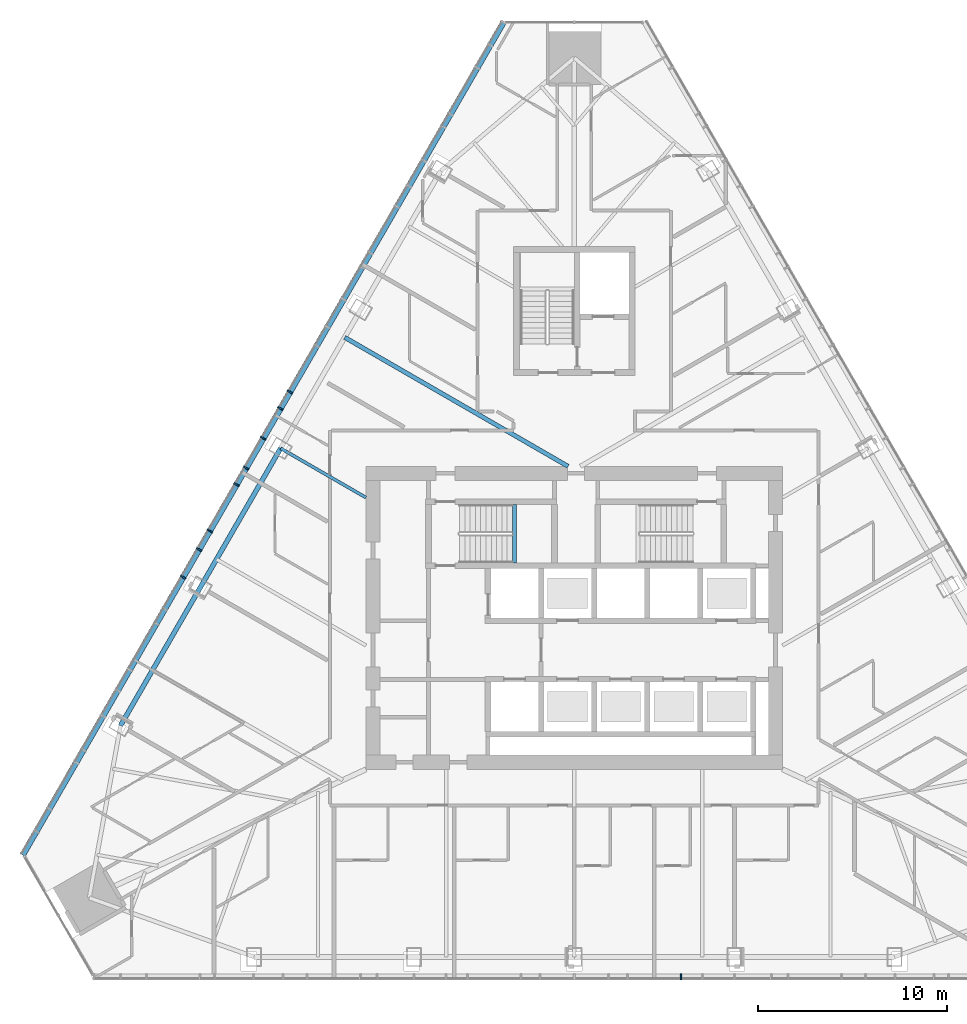
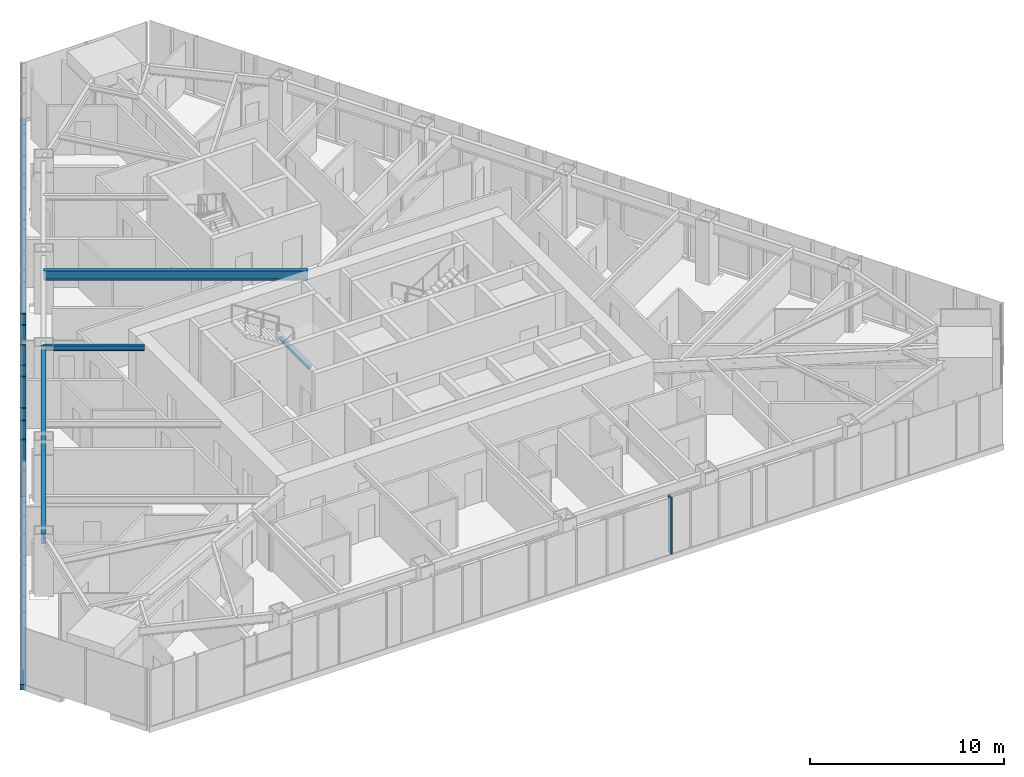
# One storey, part 4 of 19: 10 members, 4 beams, 2 elements without a shape of their own.
"""IFC4 building model written with IfcOpenShell, lengths in metres."""

from ifc_helpers import new_model, si_unit, direction, frame, origin, origin_2d, place, context, subcontext, project, spatial, rectangle, i_section, extrude, material, layer, layer_set, material_profile, profile_set, type_object, element, aggregate, save


model = new_model("IFC4")

# Units and contexts
model_context = context("Model", 3, precision=1e-05, world=origin(), true_north=direction((0.0, 1.0)))
body_context = subcontext(model_context, "Body", "Model", "MODEL_VIEW")
ifc_project = project(units=[si_unit("LENGTHUNIT", "METRE"), si_unit("AREAUNIT", "SQUARE_METRE"), si_unit("VOLUMEUNIT", "CUBIC_METRE"), si_unit("PLANEANGLEUNIT", "RADIAN"), si_unit("MASSUNIT", "GRAM", prefix="KILO")], contexts=[model_context])

# Site, building, storey
site_placement = place(None, origin())
site = spatial("IfcSite", under=ifc_project, at=site_placement, CompositionType="ELEMENT")
building_placement = place(site_placement, origin())
building = spatial("IfcBuilding", under=site, at=building_placement, Name="Firuza Gate Tower and Library", CompositionType="ELEMENT")
storey_placement = place(building_placement, frame((0.0, 0.0, 210.39990234375)))
storey = spatial("IfcBuildingStorey", under=building, at=storey_placement, Name="L49", CompositionType="ELEMENT", Elevation=210.39990234375)

# Curtain wall, member
ifc_material_1 = material(Name="Aluminium 6063-T6", Category="aluminium")
ifc_layer = layer(ifc_material_1, 0.14990234375)
ifc_layer_set = layer_set([ifc_layer], Name="Unitised curtain wall, hotel")
curtain_wall_type = type_object("IfcCurtainWallType", Name="Unitised curtain wall, hotel", PredefinedType="NOTDEFINED", material=ifc_layer_set)
placement = place(storey_placement, origin())
curtain_wall_1 = element("IfcCurtainWall", 1, at=placement, inside=storey, type_object=curtain_wall_type, Name="CW2 L49 S face", PredefinedType="NOTDEFINED")
ifc_material_2 = material(Name="Aluminium 6063-T6", Category="aluminium")
ifc_material_profile_1 = material_profile(ifc_material_2, rectangle(XDim=0.320068359375, YDim=0.080078125, at=origin_2d()))
ifc_profile_set_1 = profile_set([ifc_material_profile_1], Name="Aluminium 6063-T6")
member_type_1 = type_object("IfcMemberType", Name="Curtain wall mullion 80x320", PredefinedType="MULLION", material=ifc_profile_set_1)
member_1_placement = place(storey_placement, frame((80.646728515625, 56.037353515625, 0.150146484375), z_axis=(0.0, 0.0, 1.0), x_axis=(0.0, 1.0, 0.0)))
member_1 = element("IfcMember", 2, at=member_1_placement, type_object=member_type_1, Name="Mullion", PredefinedType="MULLION", context=body_context, shape_type="SweptSolid", body=[
    extrude(rectangle(XDim=0.320068359375, YDim=0.080078125, at=origin_2d()), origin(), (0.0, 0.0, 1.0), 3.550048828125),
])
aggregate(curtain_wall_1, [member_1])

# Curtain wall, members
curtain_wall_2 = element("IfcCurtainWall", 3, at=placement, inside=storey, type_object=curtain_wall_type, Name="CW2 L49 W face", PredefinedType="NOTDEFINED")
member_2_placement = place(storey_placement, frame((59.989501953125, 86.92626953125, 0.150146484375), z_axis=(0.0, 0.0, 1.0), x_axis=(0.866025403784, -0.5, 0.0)))
member_2 = element("IfcMember", 4, at=member_2_placement, type_object=member_type_1, Name="Mullion", PredefinedType="MULLION", context=body_context, shape_type="SweptSolid", body=[
    extrude(rectangle(XDim=0.320068359375, YDim=0.080078125, at=origin_2d()), origin(), (0.0, 0.0, 1.0), 3.550048828125),
])
member_3_placement = place(storey_placement, frame((58.577880859375, 84.481201171875, 0.150146484375), z_axis=(0.0, 0.0, 1.0), x_axis=(0.866025403784, -0.5, 0.0)))
member_3 = element("IfcMember", 5, at=member_3_placement, type_object=member_type_1, Name="Mullion", PredefinedType="MULLION", context=body_context, shape_type="SweptSolid", body=[
    extrude(rectangle(XDim=0.320068359375, YDim=0.080078125, at=origin_2d()), origin(), (0.0, 0.0, 1.0), 3.550048828125),
])
member_4_placement = place(storey_placement, frame((57.166259765625, 82.0361328125, 0.150146484375), z_axis=(0.0, 0.0, 1.0), x_axis=(0.866025403784, -0.5, 0.0)))
member_4 = element("IfcMember", 6, at=member_4_placement, type_object=member_type_1, Name="Mullion", PredefinedType="MULLION", context=body_context, shape_type="SweptSolid", body=[
    extrude(rectangle(XDim=0.320068359375, YDim=0.080078125, at=origin_2d()), origin(), (0.0, 0.0, 1.0), 3.550048828125),
])
member_5_placement = place(storey_placement, frame((55.754638671875, 79.591064453125, 0.150146484375), z_axis=(0.0, 0.0, 1.0), x_axis=(0.866025403784, -0.5, 0.0)))
member_5 = element("IfcMember", 7, at=member_5_placement, type_object=member_type_1, Name="Mullion", PredefinedType="MULLION", context=body_context, shape_type="SweptSolid", body=[
    extrude(rectangle(XDim=0.320068359375, YDim=0.080078125, at=origin_2d()), origin(), (0.0, 0.0, 1.0), 3.550048828125),
])
member_6_placement = place(storey_placement, frame((54.3427734375, 77.14599609375, 0.150146484375), z_axis=(0.0, 0.0, 1.0), x_axis=(0.866025403784, -0.5, 0.0)))
member_6 = element("IfcMember", 8, at=member_6_placement, type_object=member_type_1, Name="Mullion", PredefinedType="MULLION", context=body_context, shape_type="SweptSolid", body=[
    extrude(rectangle(XDim=0.320068359375, YDim=0.080078125, at=origin_2d()), origin(), (0.0, 0.0, 1.0), 3.550048828125),
])
member_7_placement = place(storey_placement, frame((59.48486328125, 86.05224609375, 0.150146484375), z_axis=(0.0, 0.0, 1.0), x_axis=(0.866025403784, -0.5, 0.0)))
member_7 = element("IfcMember", 9, at=member_7_placement, type_object=member_type_1, Name="Mullion", PredefinedType="MULLION", context=body_context, shape_type="SweptSolid", body=[
    extrude(rectangle(XDim=0.320068359375, YDim=0.080078125, at=origin_2d()), origin(), (0.0, 0.0, 1.0), 3.550048828125),
])
member_8_placement = place(storey_placement, frame((57.6708984375, 82.910400390625, 0.150146484375), z_axis=(0.0, 0.0, 1.0), x_axis=(0.866025403784, -0.5, 0.0)))
member_8 = element("IfcMember", 10, at=member_8_placement, type_object=member_type_1, Name="Mullion", PredefinedType="MULLION", context=body_context, shape_type="SweptSolid", body=[
    extrude(rectangle(XDim=0.320068359375, YDim=0.080078125, at=origin_2d()), origin(), (0.0, 0.0, 1.0), 3.550048828125),
])
member_9_placement = place(storey_placement, frame((55.18798828125, 78.60986328125, 0.150146484375), z_axis=(0.0, 0.0, 1.0), x_axis=(0.866025403784, -0.5, 0.0)))
member_9 = element("IfcMember", 11, at=member_9_placement, type_object=member_type_1, Name="Mullion", PredefinedType="MULLION", context=body_context, shape_type="SweptSolid", body=[
    extrude(rectangle(XDim=0.320068359375, YDim=0.080078125, at=origin_2d()), origin(), (0.0, 0.0, 1.0), 3.550048828125),
])
ifc_material_3 = material(Name="Aluminium 6063-T6", Category="aluminium")
ifc_material_profile_2 = material_profile(ifc_material_3, rectangle(XDim=0.320068359375, YDim=0.35009765625, at=origin_2d()))
ifc_profile_set_2 = profile_set([ifc_material_profile_2], Name="Aluminium 6063-T6")
member_type_2 = type_object("IfcMemberType", Name="Curtain wall transom 350x320", PredefinedType="USERDEFINED", material=ifc_profile_set_2)
member_10_placement = place(storey_placement, frame((71.283203125, 106.4873046875, -0.02490234375), z_axis=(-0.500001206715, -0.866024707086, 0.0), x_axis=(0.866024707086, -0.500001206715, 0.0)))
member_10 = element("IfcMember", 12, at=member_10_placement, type_object=member_type_2, Name="Transom", ObjectType="TRANSOM", PredefinedType="USERDEFINED", context=body_context, shape_type="SweptSolid", body=[
    extrude(rectangle(XDim=0.320068359375, YDim=0.35009765625, at=origin_2d()), origin(), (0.0, 0.0, 1.0), 50.820556640625),
])
aggregate(curtain_wall_2, [member_2, member_3, member_4, member_5, member_6, member_10, member_7, member_8, member_9])

# Beams
ifc_material_4 = material(Name="Concrete C35/45", Category="concrete")
ifc_material_profile_3 = material_profile(ifc_material_4, rectangle(XDim=0.199951171875, YDim=0.199951171875, at=origin_2d()))
ifc_profile_set_3 = profile_set([ifc_material_profile_3], Name="Concrete C35/45")
beam_type_1 = type_object("IfcBeamType", Name="Stair landing bearer 200x200", PredefinedType="BEAM", material=ifc_profile_set_3)
beam_1_placement = place(storey_placement, frame((71.840087890625, 77.89990234375, 1.650146484375), z_axis=(0.0, 1.0, 0.0), x_axis=(-1.0, 0.0, 0.0)))
element("IfcBeam", 13, at=beam_1_placement, inside=storey, type_object=beam_type_1, Name="Landing bearer L49 stair 1", PredefinedType="BEAM", context=body_context, shape_type="SweptSolid", body=[
    extrude(rectangle(XDim=0.199951171875, YDim=0.199951171875, at=origin_2d()), origin(), (0.0, 0.0, 1.0), 3.080078125),
])
ifc_material_5 = material(Name="Steel S355", Category="steel")
ifc_material_profile_4 = material_profile(ifc_material_5, i_section(OverallWidth=0.1650390625, OverallDepth=0.31005859375, WebThickness=0.005859375, FlangeThickness=0.009765625, at=origin_2d()))
ifc_profile_set_4 = profile_set([ifc_material_profile_4], Name="Steel S355")
beam_type_2 = type_object("IfcBeamType", Name="W310x39 Floor beam", PredefinedType="JOIST", material=ifc_profile_set_4)
beam_2_placement = place(storey_placement, frame((59.495849609375, 83.951171875, 3.545166015625), z_axis=(0.866036280653, -0.499981160238, 0.0), x_axis=(0.499981160238, 0.866036280653, 0.0)))
element("IfcBeam", 14, at=beam_2_placement, inside=storey, type_object=beam_type_2, Name="Floor beam L49 s82", PredefinedType="JOIST", context=body_context, shape_type="SweptSolid", body=[
    extrude(i_section(OverallWidth=0.1650390625, OverallDepth=0.31005859375, WebThickness=0.005859375, FlangeThickness=0.009765625, at=origin_2d()), origin(), (0.0, 0.0, 1.0), 5.200927734375),
])
ifc_material_6 = material(Name="Steel S355", Category="steel")
ifc_material_profile_5 = material_profile(ifc_material_6, i_section(OverallWidth=0.22802734375, OverallDepth=0.60302734375, WebThickness=0.010498046875, FlangeThickness=0.014892578125, at=origin_2d()))
ifc_profile_set_5 = profile_set([ifc_material_profile_5], Name="Steel S355")
beam_type_3 = type_object("IfcBeamType", Name="W610x101 Floor beam", PredefinedType="JOIST", material=ifc_profile_set_5)
beam_3_placement = place(storey_placement, frame((62.878173828125, 89.8095703125, 3.398681640625), z_axis=(0.866023785365, -0.500002803175, 0.0), x_axis=(0.500002803175, 0.866023785365, 0.0)))
element("IfcBeam", 15, at=beam_3_placement, inside=storey, type_object=beam_type_3, Name="Floor beam L49 s81", PredefinedType="JOIST", context=body_context, shape_type="SweptSolid", body=[
    extrude(i_section(OverallWidth=0.22802734375, OverallDepth=0.60302734375, WebThickness=0.010498046875, FlangeThickness=0.014892578125, at=origin_2d()), origin(), (0.0, 0.0, 1.0), 13.619140625),
])
ifc_material_7 = material(Name="Steel S355", Category="steel")
ifc_material_profile_6 = material_profile(ifc_material_7, i_section(OverallWidth=0.2529296875, OverallDepth=0.677978515625, WebThickness=0.01171875, FlangeThickness=0.016357421875, at=origin_2d()))
ifc_profile_set_6 = profile_set([ifc_material_profile_6], Name="Steel S355")
beam_type_4 = type_object("IfcBeamType", Name="W690x125 Edge beam", PredefinedType="SPANDREL", material=ifc_profile_set_6)
beam_4_placement = place(storey_placement, frame((59.495849609375, 83.951171875, 3.361083984375), z_axis=(-0.499999047742, -0.86602595357, 0.0), x_axis=(0.86602595357, -0.499999047742, 0.0)))
element("IfcBeam", 16, at=beam_4_placement, inside=storey, type_object=beam_type_4, Name="Edge beam L49 e82", PredefinedType="SPANDREL", context=body_context, shape_type="SweptSolid", body=[
    extrude(i_section(OverallWidth=0.2529296875, OverallDepth=0.677978515625, WebThickness=0.01171875, FlangeThickness=0.016357421875, at=origin_2d()), origin(), (0.0, 0.0, 1.0), 16.9111328125),
])

save(model, "model.ifc")
